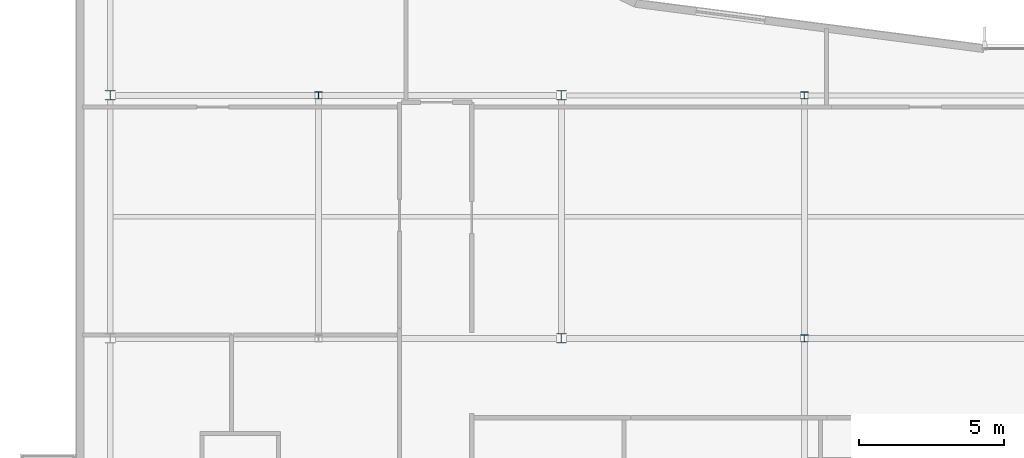
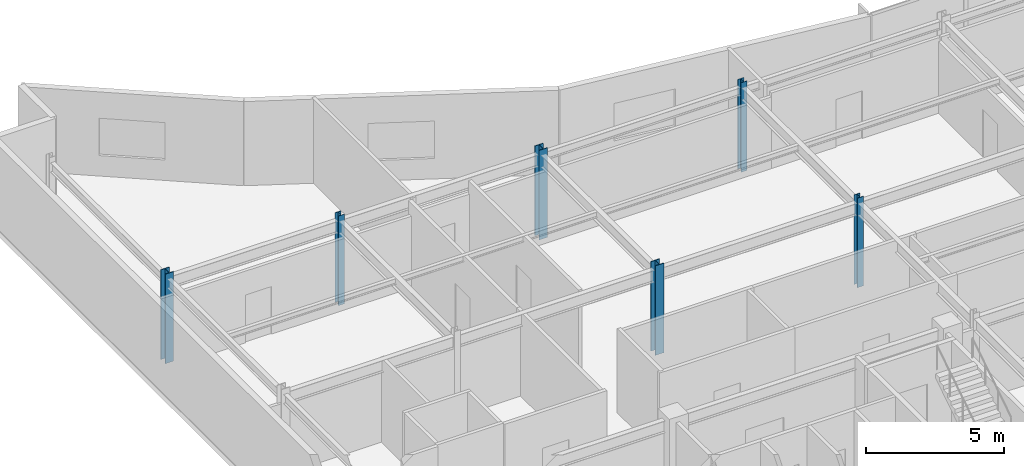
# One storey, part 2 of 19: 6 columns.
"""IFC4 building model written with IfcOpenShell, lengths in metres."""

from ifc_helpers import new_model, si_unit, direction, frame, origin, origin_2d, place, context, subcontext, project, spatial, i_section, extrude, material, material_profile, profile_set, type_object, element, save


model = new_model("IFC4")

# Units and contexts
model_context = context("Model", 3, precision=1e-05, world=origin(), true_north=direction((0.0, 1.0)))
body_context = subcontext(model_context, "Body", "Model", "MODEL_VIEW")
ifc_project = project(units=[si_unit("LENGTHUNIT", "METRE"), si_unit("AREAUNIT", "SQUARE_METRE"), si_unit("VOLUMEUNIT", "CUBIC_METRE"), si_unit("PLANEANGLEUNIT", "RADIAN"), si_unit("MASSUNIT", "GRAM", prefix="KILO")], contexts=[model_context])

# Site, building, storey
site_placement = place(None, origin())
site = spatial("IfcSite", under=ifc_project, at=site_placement, CompositionType="ELEMENT")
building_placement = place(site_placement, origin())
building = spatial("IfcBuilding", under=site, at=building_placement, Name="Varnakote Quay Hospital", CompositionType="ELEMENT")
storey_placement = place(building_placement, frame((0.0, 0.0, 240.75)))
storey = spatial("IfcBuildingStorey", under=building, at=storey_placement, Name="L59", CompositionType="ELEMENT", Elevation=240.75)

# Columns
ifc_material_1 = material(Name="Structural steel AS/NZS 3679.1 Grade 350 L0 (fy 340 MPa)", Category="steel")
ifc_material_profile_1 = material_profile(ifc_material_1, i_section(OverallWidth=0.25390625, OverallDepth=0.25390625, WebThickness=0.008544921875, FlangeThickness=0.01416015625, FilletRadius=0.0126953125, at=origin_2d()), Name="250UC72.9")
ifc_profile_set_1 = profile_set([ifc_material_profile_1], Name="Structural steel AS/NZS 3679.1 Grade 350 L0 (fy 340 MPa)")
column_type_1 = type_object("IfcColumnType", Name="COL-STL-250UC72-9", PredefinedType="COLUMN", material=ifc_profile_set_1)
for number, where, z_axis, x_axis, name in (
    (1, (25.199951171875, 20.39990234375, 0.0), (0.0, 0.0, 1.0), (1.0, 0.0, 0.0), "L59 Structural Column C-25-20"),
    (2, (8.39990234375, 28.800048828125, 0.0), (0.0, 0.0, 1.0), (1.0, 0.0, 0.0), "L59 Structural Column C-8-29"),
    (3, (25.199951171875, 28.800048828125, 0.0), (0.0, 0.0, 1.0), (1.0, 0.0, 0.0), "L59 Structural Column C-25-29"),
):
    element("IfcColumn", number, at=place(storey_placement, frame(where, z_axis=z_axis, x_axis=x_axis)), inside=storey, type_object=column_type_1, Name=name, PredefinedType="COLUMN", context=body_context, shape_type="SweptSolid", body=[
        extrude(i_section(OverallWidth=0.25390625, OverallDepth=0.25390625, WebThickness=0.008544921875, FlangeThickness=0.01416015625, FilletRadius=0.0126953125, at=origin_2d()), origin(), (0.0, 0.0, 1.0), 3.949951171875),
    ])
ifc_material_2 = material(Name="Structural steel AS/NZS 3678 Grade 350 (fy 340 MPa)", Category="steel")
ifc_material_profile_2 = material_profile(ifc_material_2, i_section(OverallWidth=0.35009765625, OverallDepth=0.340087890625, WebThickness=0.01611328125, FlangeThickness=0.028076171875, at=origin_2d()), Name="350WC197")
ifc_profile_set_2 = profile_set([ifc_material_profile_2], Name="Structural steel AS/NZS 3678 Grade 350 (fy 340 MPa)")
column_type_2 = type_object("IfcColumnType", Name="COL-STL-350WC197", PredefinedType="COLUMN", material=ifc_profile_set_2)
for number, where, z_axis, x_axis, name in (
    (4, (16.800048828125, 20.39990234375, 0.0), (0.0, 0.0, 1.0), (1.0, 0.0, 0.0), "L59 Structural Column C-17-20"),
    (5, (1.199951171875, 28.800048828125, 0.0), (0.0, 0.0, 1.0), (1.0, 0.0, 0.0), "L59 Structural Column C-1-29"),
    (6, (16.800048828125, 28.800048828125, 0.0), (0.0, 0.0, 1.0), (1.0, 0.0, 0.0), "L59 Structural Column C-17-29"),
):
    element("IfcColumn", number, at=place(storey_placement, frame(where, z_axis=z_axis, x_axis=x_axis)), inside=storey, type_object=column_type_2, Name=name, PredefinedType="COLUMN", context=body_context, shape_type="SweptSolid", body=[
        extrude(i_section(OverallWidth=0.35009765625, OverallDepth=0.340087890625, WebThickness=0.01611328125, FlangeThickness=0.028076171875, at=origin_2d()), origin(), (0.0, 0.0, 1.0), 3.949951171875),
    ])

save(model, "model.ifc")
